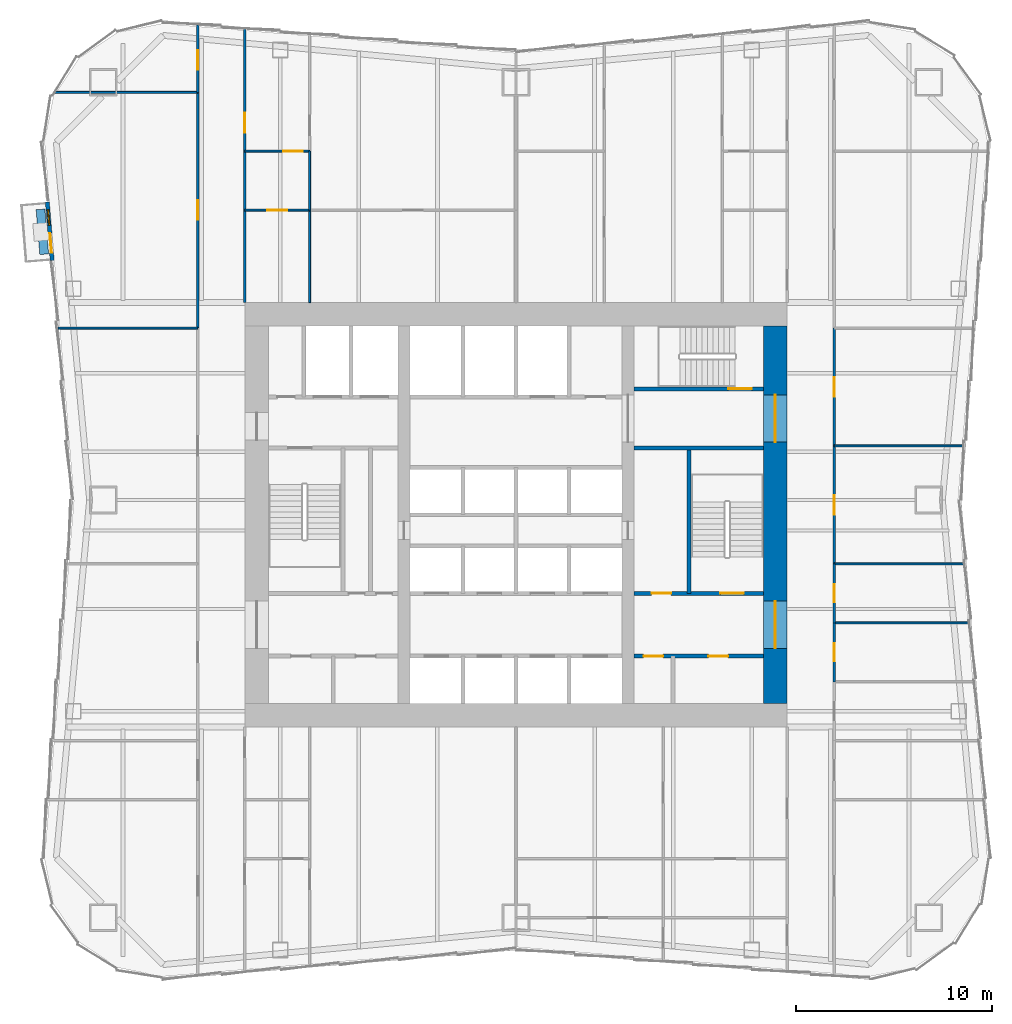
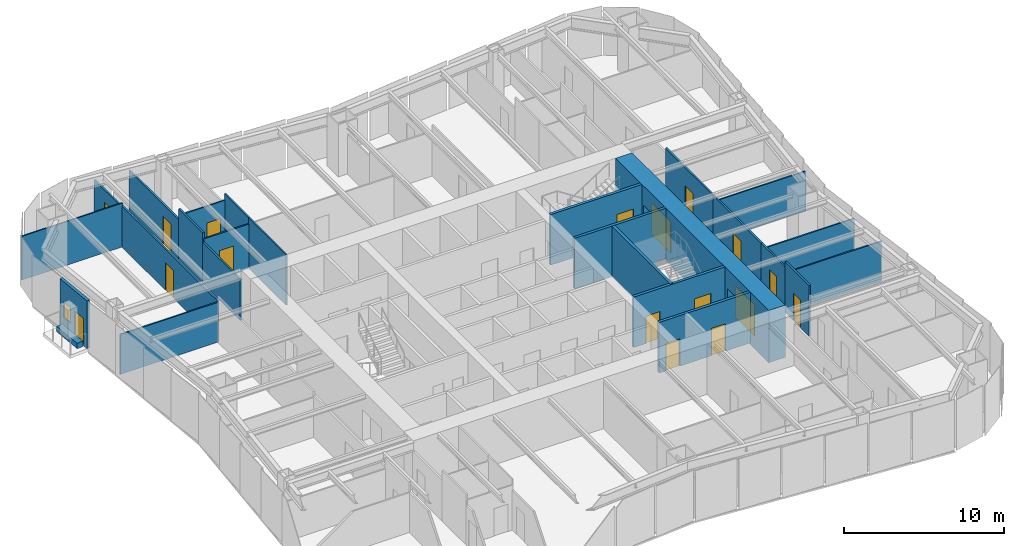
# One storey, part 6 of 9: 26 walls, 17 doors, 1 window, 18 openings.
"""IFC4 building model written with IfcOpenShell, lengths in metres."""

from ifc_helpers import new_model, si_unit, direction, frame, frame_2d, origin, place, context, subcontext, project, spatial, rectangle, extrude, material, layer, layer_set, type_object, element, fill, save


model = new_model("IFC4")

# Units and contexts
model_context = context("Model", 3, precision=1e-05, world=origin(), true_north=direction((0.0, 1.0)))
body_context = subcontext(model_context, "Body", "Model", "MODEL_VIEW")
ifc_project = project(units=[si_unit("LENGTHUNIT", "METRE"), si_unit("AREAUNIT", "SQUARE_METRE"), si_unit("VOLUMEUNIT", "CUBIC_METRE"), si_unit("PLANEANGLEUNIT", "RADIAN"), si_unit("MASSUNIT", "GRAM", prefix="KILO")], contexts=[model_context])

# Site, building, storey
site_placement = place(None, origin())
site = spatial("IfcSite", under=ifc_project, at=site_placement, CompositionType="ELEMENT")
building_placement = place(site_placement, origin())
building = spatial("IfcBuilding", under=site, at=building_placement, Name="Verdant Reach Tower", CompositionType="ELEMENT")
storey_placement = place(building_placement, frame((0.0, 0.0, 90.0)))
storey = spatial("IfcBuildingStorey", under=building, at=storey_placement, Name="L20", CompositionType="ELEMENT", Elevation=90.0)

# Wall, openings, doors
ifc_material_1 = material(Name="Gypsum board on steel studs", Category="steel")
ifc_layer_1 = layer(ifc_material_1, 0.199951171875)
ifc_layer_set_1 = layer_set([ifc_layer_1], Name="CO-WALL-ROOM")
wall_type_1 = type_object("IfcWallType", Name="CO-WALL-ROOM", PredefinedType="PARTITIONING", material=ifc_layer_set_1)
wall_1_placement = place(storey_placement, frame((6.0, 20.800048828125, 0.0), z_axis=(0.0, 0.0, 1.0), x_axis=(1.0, 0.0, 0.0)))
wall_1 = element("IfcWall", 1, at=wall_1_placement, inside=storey, type_object=wall_type_1, Name="Core partition, L20", PredefinedType="PARTITIONING", context=body_context, shape_type="SweptSolid", body=[
    extrude(rectangle(XDim=6.60009765625, YDim=0.199951171875, at=frame_2d((3.300048828125, 0.0))), origin(), (0.0, 0.0, 1.0), 3.8701171875),
])
opening_1_placement = place(wall_1_placement, frame((0.489990234375, 0.0, 0.0)))
opening_1 = element("IfcOpeningElement", 2, at=opening_1_placement, cuts=wall_1, Name="Opening CD", PredefinedType="OPENING", context=body_context, shape_type="SweptSolid", body=[
    extrude(rectangle(XDim=1.0, YDim=2.10009765625, at=frame_2d((0.5, 1.050048828125))), frame((0.0, 0.10986328125, 0.0), z_axis=(0.0, -1.0, 0.0), x_axis=(1.0, 0.0, 0.0)), (0.0, 0.0, 1.0), 0.219970703125),
])
opening_2_placement = place(wall_1_placement, frame((3.7900390625, 0.0, 0.0)))
opening_2 = element("IfcOpeningElement", 3, at=opening_2_placement, cuts=wall_1, Name="Opening CD", PredefinedType="OPENING", context=body_context, shape_type="SweptSolid", body=[
    extrude(rectangle(XDim=1.0, YDim=2.10009765625, at=frame_2d((0.5, 1.050048828125))), frame((0.0, 0.10986328125, 0.0), z_axis=(0.0, -1.0, 0.0), x_axis=(1.0, 0.0, 0.0)), (0.0, 0.0, 1.0), 0.219970703125),
])
ifc_material_2 = material(Name="Timber", Category="wood")
door_type_1 = type_object("IfcDoorType", Name="CO-DOOR-ROOM", OperationType="NOTDEFINED", PredefinedType="DOOR", material=ifc_material_2)
door_1_placement = place(opening_1_placement, origin())
door_1 = element("IfcDoor", 4, at=door_1_placement, inside=storey, type_object=door_type_1, Name="Core room door, L20", OperationType="SINGLE_SWING_RIGHT", OverallHeight=2.10009765625, OverallWidth=1.0, PredefinedType="DOOR", context=body_context, shape_type="SweptSolid", body=[
    extrude(rectangle(XDim=1.0, YDim=2.10009765625, at=frame_2d((0.5, 1.050048828125))), frame((0.0, 0.02490234375, 0.0), z_axis=(0.0, -1.0, 0.0), x_axis=(1.0, 0.0, 0.0)), (0.0, 0.0, 1.0), 0.050048828125),
])
fill(opening_1, door_1)
door_2_placement = place(opening_2_placement, origin())
door_2 = element("IfcDoor", 5, at=door_2_placement, inside=storey, type_object=door_type_1, Name="Core room door, L20", OperationType="SINGLE_SWING_RIGHT", OverallHeight=2.10009765625, OverallWidth=1.0, PredefinedType="DOOR", context=body_context, shape_type="SweptSolid", body=[
    extrude(rectangle(XDim=1.0, YDim=2.10009765625, at=frame_2d((0.5, 1.050048828125))), frame((0.0, 0.02490234375, 0.0), z_axis=(0.0, -1.0, 0.0), x_axis=(1.0, 0.0, 0.0)), (0.0, 0.0, 1.0), 0.050048828125),
])
fill(opening_2, door_2)

ifc_material_3 = material(Name="Concrete C40/50", Category="concrete")
ifc_layer_2 = layer(ifc_material_3, 0.199951171875)
ifc_layer_set_2 = layer_set([ifc_layer_2], Name="CO-WALL-STAIR")
wall_type_2 = type_object("IfcWallType", Name="CO-WALL-STAIR", PredefinedType="PARTITIONING", material=ifc_layer_set_2)
wall_2_placement = place(storey_placement, frame((6.0, 24.0, 0.0), z_axis=(0.0, 0.0, 1.0), x_axis=(1.0, 0.0, 0.0)))
wall_2 = element("IfcWall", 6, at=wall_2_placement, inside=storey, type_object=wall_type_2, Name="Stair enclosure wall, L20", PredefinedType="PARTITIONING", context=body_context, shape_type="SweptSolid", body=[
    extrude(rectangle(XDim=6.60009765625, YDim=0.199951171875, at=frame_2d((3.300048828125, 0.0))), origin(), (0.0, 0.0, 1.0), 3.8701171875),
])
opening_3_placement = place(wall_2_placement, frame((0.89990234375, 0.0, 0.0)))
opening_3 = element("IfcOpeningElement", 7, at=opening_3_placement, cuts=wall_2, Name="Opening CD", PredefinedType="OPENING", context=body_context, shape_type="SweptSolid", body=[
    extrude(rectangle(XDim=1.0, YDim=2.10009765625, at=frame_2d((0.5, 1.050048828125))), frame((0.0, 0.10986328125, 0.0), z_axis=(0.0, -1.0, 0.0), x_axis=(1.0, 0.0, 0.0)), (0.0, 0.0, 1.0), 0.219970703125),
])
opening_4_placement = place(wall_2_placement, frame((4.39990234375, 0.0, 0.0)))
opening_4 = element("IfcOpeningElement", 8, at=opening_4_placement, cuts=wall_2, Name="Opening SD", PredefinedType="OPENING", context=body_context, shape_type="SweptSolid", body=[
    extrude(rectangle(XDim=1.199951171875, YDim=2.199951171875, at=frame_2d((0.60009765625, 1.10009765625))), frame((0.0, 0.10986328125, 0.0), z_axis=(0.0, -1.0, 0.0), x_axis=(1.0, 0.0, 0.0)), (0.0, 0.0, 1.0), 0.219970703125),
])
door_3_placement = place(opening_3_placement, origin())
door_3 = element("IfcDoor", 9, at=door_3_placement, inside=storey, type_object=door_type_1, Name="Core room door, L20", OperationType="SINGLE_SWING_RIGHT", OverallHeight=2.10009765625, OverallWidth=1.0, PredefinedType="DOOR", context=body_context, shape_type="SweptSolid", body=[
    extrude(rectangle(XDim=1.0, YDim=2.10009765625, at=frame_2d((0.5, 1.050048828125))), frame((0.0, 0.02490234375, 0.0), z_axis=(0.0, -1.0, 0.0), x_axis=(1.0, 0.0, 0.0)), (0.0, 0.0, 1.0), 0.050048828125),
])
fill(opening_3, door_3)
ifc_material_4 = material(Name="Steel", Category="steel")
door_type_2 = type_object("IfcDoorType", Name="CO-DOOR-STAIR", OperationType="NOTDEFINED", PredefinedType="DOOR", material=ifc_material_4)
door_4_placement = place(opening_4_placement, origin())
door_4 = element("IfcDoor", 10, at=door_4_placement, inside=storey, type_object=door_type_2, Name="Stair door, L20", OperationType="SINGLE_SWING_LEFT", OverallHeight=2.199951171875, OverallWidth=1.199951171875, PredefinedType="DOOR", context=body_context, shape_type="SweptSolid", body=[
    extrude(rectangle(XDim=1.199951171875, YDim=2.199951171875, at=frame_2d((0.60009765625, 1.10009765625))), frame((0.0, 0.02490234375, 0.0), z_axis=(0.0, -1.0, 0.0), x_axis=(1.0, 0.0, 0.0)), (0.0, 0.0, 1.0), 0.050048828125),
])
fill(opening_4, door_4)

# Wall
wall_3_placement = place(storey_placement, frame((6.0, 31.39990234375, 0.0), z_axis=(0.0, 0.0, 1.0), x_axis=(1.0, 0.0, 0.0)))
element("IfcWall", 11, at=wall_3_placement, inside=storey, type_object=wall_type_2, Name="Stair enclosure wall, L20", PredefinedType="PARTITIONING", context=body_context, shape_type="SweptSolid", body=[
    extrude(rectangle(XDim=6.60009765625, YDim=0.199951171875, at=frame_2d((3.300048828125, 0.0))), origin(), (0.0, 0.0, 1.0), 3.8701171875),
])

# Wall, opening, door
wall_4_placement = place(storey_placement, frame((6.0, 34.39990234375, 0.0), z_axis=(0.0, 0.0, 1.0), x_axis=(1.0, 0.0, 0.0)))
wall_4 = element("IfcWall", 12, at=wall_4_placement, inside=storey, type_object=wall_type_2, Name="Stair enclosure wall, L20", PredefinedType="PARTITIONING", context=body_context, shape_type="SweptSolid", body=[
    extrude(rectangle(XDim=6.60009765625, YDim=0.199951171875, at=frame_2d((3.300048828125, 0.0))), origin(), (0.0, 0.0, 1.0), 3.8701171875),
])
opening_5_placement = place(wall_4_placement, frame((4.800048828125, 0.0, 0.0)))
opening_5 = element("IfcOpeningElement", 13, at=opening_5_placement, cuts=wall_4, Name="Opening SD", PredefinedType="OPENING", context=body_context, shape_type="SweptSolid", body=[
    extrude(rectangle(XDim=1.199951171875, YDim=2.199951171875, at=frame_2d((0.60009765625, 1.10009765625))), frame((0.0, 0.10986328125, 0.0), z_axis=(0.0, -1.0, 0.0), x_axis=(1.0, 0.0, 0.0)), (0.0, 0.0, 1.0), 0.219970703125),
])
door_5_placement = place(opening_5_placement, origin())
door_5 = element("IfcDoor", 14, at=door_5_placement, inside=storey, type_object=door_type_2, Name="Stair door, L20", OperationType="SINGLE_SWING_RIGHT", OverallHeight=2.199951171875, OverallWidth=1.199951171875, PredefinedType="DOOR", context=body_context, shape_type="SweptSolid", body=[
    extrude(rectangle(XDim=1.199951171875, YDim=2.199951171875, at=frame_2d((0.60009765625, 1.10009765625))), frame((0.0, 0.02490234375, 0.0), z_axis=(0.0, -1.0, 0.0), x_axis=(1.0, 0.0, 0.0)), (0.0, 0.0, 1.0), 0.050048828125),
])
fill(opening_5, door_5)

# Wall
wall_5_placement = place(storey_placement, frame((8.800048828125, 24.0, 0.0), z_axis=(0.0, 0.0, 1.0), x_axis=(0.0, 1.0, 0.0)))
element("IfcWall", 15, at=wall_5_placement, inside=storey, type_object=wall_type_2, Name="Stair enclosure wall, L20", PredefinedType="PARTITIONING", context=body_context, shape_type="SweptSolid", body=[
    extrude(rectangle(XDim=7.39990234375, YDim=0.199951171875, at=frame_2d((3.699951171875, 0.0))), origin(), (0.0, 0.0, 1.0), 3.8701171875),
])

# Wall, openings, door, window
ifc_material_5 = material(Name="Insulated bronze aluminium panel wall", Category="aluminium")
ifc_layer_3 = layer(ifc_material_5, 0.219970703125)
ifc_layer_set_3 = layer_set([ifc_layer_3], Name="EN-INFILL WALL")
wall_type_3 = type_object("IfcWallType", Name="EN-INFILL WALL", PredefinedType="SOLIDWALL", material=ifc_layer_set_3)
wall_6_placement = place(storey_placement, frame((-23.85009765625, 43.9189453125, 0.0), z_axis=(0.0, 0.0, 1.0), x_axis=(0.081903334605, -0.996640278024, 0.0)))
wall_6 = element("IfcWall", 16, at=wall_6_placement, inside=storey, type_object=wall_type_3, Name="External infill wall, balcony bay 1, L20", PredefinedType="SOLIDWALL", context=body_context, shape_type="SweptSolid", body=[
    extrude(rectangle(XDim=2.98974609375, YDim=0.2060546875, at=frame_2d((1.494873046875, 0.0))), origin(), (0.0, 0.0, 1.0), 3.64990234375),
])
opening_6_placement = place(wall_6_placement, frame((1.59326171875, 0.0, 0.0)))
opening_6 = element("IfcOpeningElement", 17, at=opening_6_placement, cuts=wall_6, Name="Opening BD1", PredefinedType="OPENING", context=body_context, shape_type="SweptSolid", body=[
    extrude(rectangle(XDim=1.0, YDim=2.10009765625, at=frame_2d((0.5, 1.050048828125))), frame((0.0, 0.113037109375, 0.0), z_axis=(0.0, -1.0, 0.0), x_axis=(1.0, 0.0, 0.0)), (0.0, 0.0, 1.0), 0.22607421875),
])
opening_7_placement = place(wall_6_placement, frame((0.396484375, 0.0, 0.89990234375)))
opening_7 = element("IfcOpeningElement", 18, at=opening_7_placement, cuts=wall_6, Name="Opening BW1", PredefinedType="OPENING", context=body_context, shape_type="SweptSolid", body=[
    extrude(rectangle(XDim=0.800048828125, YDim=1.199951171875, at=frame_2d((0.39990234375, 0.60009765625))), frame((0.0, 0.113037109375, 0.0), z_axis=(0.0, -1.0, 0.0), x_axis=(1.0, 0.0, 0.0)), (0.0, 0.0, 1.0), 0.22607421875),
])
ifc_material_6 = material(Name="Aluminium framed glazed door", Category="aluminium")
door_type_3 = type_object("IfcDoorType", Name="EN-DOOR BALCONY", OperationType="NOTDEFINED", PredefinedType="DOOR", material=ifc_material_6)
door_6_placement = place(opening_6_placement, origin())
door_6 = element("IfcDoor", 19, at=door_6_placement, inside=storey, type_object=door_type_3, Name="Balcony door 1, L20", OperationType="SINGLE_SWING_RIGHT", OverallHeight=2.10009765625, OverallWidth=1.0, PredefinedType="DOOR", context=body_context, shape_type="SweptSolid", body=[
    extrude(rectangle(XDim=1.0, YDim=2.10009765625, at=frame_2d((0.5, 1.050048828125))), frame((0.0, 0.02490234375, 0.0), z_axis=(0.0, -1.0, 0.0), x_axis=(1.0, 0.0, 0.0)), (0.0, 0.0, 1.0), 0.050048828125),
])
fill(opening_6, door_6)
ifc_material_7 = material(Name="Aluminium framed glazing", Category="aluminium")
window_type = type_object("IfcWindowType", Name="EN-WINDOW BALCONY", PartitioningType="SINGLE_PANEL", PredefinedType="WINDOW", material=ifc_material_7)
window_placement = place(opening_7_placement, origin())
window = element("IfcWindow", 20, at=window_placement, inside=storey, type_object=window_type, Name="Balcony window 1, L20", OverallHeight=1.199951171875, OverallWidth=0.800048828125, PartitioningType="SINGLE_PANEL", PredefinedType="WINDOW", context=body_context, shape_type="SweptSolid", body=[
    extrude(rectangle(XDim=0.800048828125, YDim=1.199951171875, at=frame_2d((0.39990234375, 0.60009765625))), frame((0.0, 0.030029296875, 0.0), z_axis=(0.0, -1.0, 0.0), x_axis=(1.0, 0.0, 0.0)), (0.0, 0.0, 1.0), 0.06005859375),
])
fill(opening_7, window)

# Walls
ifc_material_8 = material(Name="Precast concrete C30/37", Category="concrete")
ifc_layer_4 = layer(ifc_material_8, 0.449951171875)
ifc_layer_set_4 = layer_set([ifc_layer_4], Name="EN-PLANTER")
wall_type_4 = type_object("IfcWallType", Name="EN-PLANTER", PredefinedType="USERDEFINED", material=ifc_layer_set_4)
wall_7_placement = place(storey_placement, frame((-24.1982421875, 43.539306640625, 0.0), z_axis=(0.0, 0.0, 1.0), x_axis=(0.081986639556, -0.996633428566, 0.0)))
element("IfcWall", 21, at=wall_7_placement, inside=storey, type_object=wall_type_4, Name="Balcony planter 1, L20", ObjectType="PLANTER", PredefinedType="USERDEFINED", context=body_context, shape_type="SweptSolid", body=[
    extrude(rectangle(XDim=2.2900390625, YDim=0.449951171875, at=frame_2d((1.14501953125, 0.0))), origin(), (0.0, 0.0, 1.0), 0.39990234375),
])
ifc_layer_5 = layer(ifc_material_1, 0.10009765625)
ifc_layer_set_5 = layer_set([ifc_layer_5], Name="FL-W1 Partition 100")
wall_type_5 = type_object("IfcWallType", Name="FL-W1 Partition 100", PredefinedType="PARTITIONING", material=ifc_layer_set_5)
wall_8_placement = place(storey_placement, frame((-16.199951171875, 37.5, 0.0), z_axis=(0.0, 0.0, 1.0), x_axis=(-1.0, 0.0, 0.0)))
element("IfcWall", 22, at=wall_8_placement, inside=storey, type_object=wall_type_5, Name="Partition 20.31", PredefinedType="PARTITIONING", context=body_context, shape_type="SweptSolid", body=[
    extrude(rectangle(XDim=7.099365234375, YDim=0.10009765625, at=frame_2d((3.5498046875, 0.0))), origin(), (0.0, 0.0, 1.0), 3.0400390625),
])
wall_9_placement = place(storey_placement, frame((-16.199951171875, 49.5, 0.0), z_axis=(0.0, 0.0, 1.0), x_axis=(-1.0, 0.0, 0.0)))
element("IfcWall", 23, at=wall_9_placement, inside=storey, type_object=wall_type_5, Name="Partition 20.32", PredefinedType="PARTITIONING", context=body_context, shape_type="SweptSolid", body=[
    extrude(rectangle(XDim=7.287109375, YDim=0.10009765625, at=frame_2d((3.6435546875, 0.0))), origin(), (0.0, 0.0, 1.0), 3.340087890625),
])
wall_10_placement = place(storey_placement, frame((23.09375, 22.5, 0.0), z_axis=(0.0, 0.0, 1.0), x_axis=(-1.0, 0.0, 0.0)))
element("IfcWall", 24, at=wall_10_placement, inside=storey, type_object=wall_type_5, Name="Partition 20.36", PredefinedType="PARTITIONING", context=body_context, shape_type="SweptSolid", body=[
    extrude(rectangle(XDim=6.893798828125, YDim=0.10009765625, at=frame_2d((3.44677734375, 0.0))), origin(), (0.0, 0.0, 1.0), 3.0400390625),
])
wall_11_placement = place(storey_placement, frame((22.84716796875, 25.5, 0.0), z_axis=(0.0, 0.0, 1.0), x_axis=(-1.0, 0.0, 0.0)))
element("IfcWall", 25, at=wall_11_placement, inside=storey, type_object=wall_type_5, Name="Partition 20.37", PredefinedType="PARTITIONING", context=body_context, shape_type="SweptSolid", body=[
    extrude(rectangle(XDim=6.647216796875, YDim=0.10009765625, at=frame_2d((3.32373046875, 0.0))), origin(), (0.0, 0.0, 1.0), 3.0400390625),
])
wall_12_placement = place(storey_placement, frame((22.805908203125, 31.5, 0.0), z_axis=(0.0, 0.0, 1.0), x_axis=(-1.0, 0.0, 0.0)))
element("IfcWall", 26, at=wall_12_placement, inside=storey, type_object=wall_type_5, Name="Partition 20.38", PredefinedType="PARTITIONING", context=body_context, shape_type="SweptSolid", body=[
    extrude(rectangle(XDim=6.60595703125, YDim=0.10009765625, at=frame_2d((3.302978515625, 0.0))), origin(), (0.0, 0.0, 1.0), 3.0400390625),
])

# Wall, opening, door
wall_13_placement = place(storey_placement, frame((-10.5, 43.5, 0.0), z_axis=(0.0, 0.0, 1.0), x_axis=(-1.0, 0.0, 0.0)))
wall_13 = element("IfcWall", 27, at=wall_13_placement, inside=storey, type_object=wall_type_5, Name="Partition 20.56", PredefinedType="PARTITIONING", context=body_context, shape_type="SweptSolid", body=[
    extrude(rectangle(XDim=3.300048828125, YDim=0.10009765625, at=frame_2d((1.64990234375, 0.0))), origin(), (0.0, 0.0, 1.0), 3.389892578125),
])
opening_8_placement = place(wall_13_placement, frame((1.14990234375, 0.0, 0.0)))
opening_8 = element("IfcOpeningElement", 28, at=opening_8_placement, cuts=wall_13, Name="Opening D3", PredefinedType="OPENING", context=body_context, shape_type="SweptSolid", body=[
    extrude(rectangle(XDim=1.0, YDim=2.10009765625, at=frame_2d((0.5, 1.050048828125))), frame((0.0, 0.06005859375, 0.0), z_axis=(0.0, -1.0, 0.0), x_axis=(1.0, 0.0, 0.0)), (0.0, 0.0, 1.0), 0.1201171875),
])
ifc_material_9 = material(Name="Painted timber door leaf", Category="wood")
door_type_4 = type_object("IfcDoorType", Name="FL-D3 Door 1000x2100", OperationType="NOTDEFINED", PredefinedType="DOOR", material=ifc_material_9)
door_7_placement = place(opening_8_placement, origin())
door_7 = element("IfcDoor", 29, at=door_7_placement, inside=storey, type_object=door_type_4, Name="Door 20-029", OperationType="SINGLE_SWING_LEFT", OverallHeight=2.10009765625, OverallWidth=1.0, PredefinedType="DOOR", context=body_context, shape_type="SweptSolid", body=[
    extrude(rectangle(XDim=1.0, YDim=2.10009765625, at=frame_2d((0.5, 1.050048828125))), frame((0.0, 0.02490234375, 0.0), z_axis=(0.0, -1.0, 0.0), x_axis=(1.0, 0.0, 0.0)), (0.0, 0.0, 1.0), 0.050048828125),
])
fill(opening_8, door_7)

# Wall
wall_14_placement = place(storey_placement, frame((-10.5, 38.800048828125, 0.0), z_axis=(0.0, 0.0, 1.0), x_axis=(0.0, 1.0, 0.0)))
element("IfcWall", 30, at=wall_14_placement, inside=storey, type_object=wall_type_5, Name="Partition 20.57", PredefinedType="PARTITIONING", context=body_context, shape_type="SweptSolid", body=[
    extrude(rectangle(XDim=4.699951171875, YDim=0.10009765625, at=frame_2d((2.35009765625, 0.0))), origin(), (0.0, 0.0, 1.0), 3.8701171875),
])

# Wall, opening, door
wall_15_placement = place(storey_placement, frame((-10.5, 46.5, 0.0), z_axis=(0.0, 0.0, 1.0), x_axis=(-1.0, 0.0, 0.0)))
wall_15 = element("IfcWall", 31, at=wall_15_placement, inside=storey, type_object=wall_type_5, Name="Partition 20.58", PredefinedType="PARTITIONING", context=body_context, shape_type="SweptSolid", body=[
    extrude(rectangle(XDim=3.300048828125, YDim=0.10009765625, at=frame_2d((1.64990234375, 0.0))), origin(), (0.0, 0.0, 1.0), 3.389892578125),
])
opening_9_placement = place(wall_15_placement, frame((0.35009765625, 0.0, 0.0)))
opening_9 = element("IfcOpeningElement", 32, at=opening_9_placement, cuts=wall_15, Name="Opening D3", PredefinedType="OPENING", context=body_context, shape_type="SweptSolid", body=[
    extrude(rectangle(XDim=1.0, YDim=2.10009765625, at=frame_2d((0.5, 1.050048828125))), frame((0.0, 0.06005859375, 0.0), z_axis=(0.0, -1.0, 0.0), x_axis=(1.0, 0.0, 0.0)), (0.0, 0.0, 1.0), 0.1201171875),
])
door_8_placement = place(opening_9_placement, origin())
door_8 = element("IfcDoor", 33, at=door_8_placement, inside=storey, type_object=door_type_4, Name="Door 20-030", OperationType="SINGLE_SWING_LEFT", OverallHeight=2.10009765625, OverallWidth=1.0, PredefinedType="DOOR", context=body_context, shape_type="SweptSolid", body=[
    extrude(rectangle(XDim=1.0, YDim=2.10009765625, at=frame_2d((0.5, 1.050048828125))), frame((0.0, 0.02490234375, 0.0), z_axis=(0.0, -1.0, 0.0), x_axis=(1.0, 0.0, 0.0)), (0.0, 0.0, 1.0), 0.050048828125),
])
fill(opening_9, door_8)

# Wall
wall_16_placement = place(storey_placement, frame((-10.5, 43.5, 0.0), z_axis=(0.0, 0.0, 1.0), x_axis=(0.0, 1.0, 0.0)))
element("IfcWall", 34, at=wall_16_placement, inside=storey, type_object=wall_type_5, Name="Partition 20.59", PredefinedType="PARTITIONING", context=body_context, shape_type="SweptSolid", body=[
    extrude(rectangle(XDim=3.00390625, YDim=0.10009765625, at=frame_2d((1.501953125, 0.0))), origin(), (0.0, 0.0, 1.0), 3.8701171875),
])

# Wall, opening, door
ifc_material_10 = material(Name="Gypsum board on steel studs, fire rated", Category="steel")
ifc_layer_6 = layer(ifc_material_10, 0.125)
ifc_layer_set_6 = layer_set([ifc_layer_6], Name="FL-W2 Corridor wall 125")
wall_type_6 = type_object("IfcWallType", Name="FL-W2 Corridor wall 125", PredefinedType="PARTITIONING", material=ifc_layer_set_6)
wall_17_placement = place(storey_placement, frame((-16.199951171875, 37.5, 0.0), z_axis=(0.0, 0.0, 1.0), x_axis=(0.0, 1.0, 0.0)))
wall_17 = element("IfcWall", 35, at=wall_17_placement, inside=storey, type_object=wall_type_6, Name="Partition 20.05", PredefinedType="PARTITIONING", context=body_context, shape_type="SweptSolid", body=[
    extrude(rectangle(XDim=12.0, YDim=0.125, at=frame_2d((6.0, 0.0))), origin(), (0.0, 0.0, 1.0), 3.139892578125),
])
opening_10_placement = place(wall_17_placement, frame((5.5, 0.0, 0.0)))
opening_10 = element("IfcOpeningElement", 36, at=opening_10_placement, cuts=wall_17, Name="Opening D2", PredefinedType="OPENING", context=body_context, shape_type="SweptSolid", body=[
    extrude(rectangle(XDim=1.0, YDim=2.10009765625, at=frame_2d((0.5, 1.050048828125))), frame((0.0, 0.072509765625, 0.0), z_axis=(0.0, -1.0, 0.0), x_axis=(1.0, 0.0, 0.0)), (0.0, 0.0, 1.0), 0.14501953125),
])
ifc_material_11 = material(Name="Timber door leaf, fire rated", Category="wood")
door_type_5 = type_object("IfcDoorType", Name="FL-D2 Entrance door 1000x2100 FD30", OperationType="NOTDEFINED", PredefinedType="DOOR", material=ifc_material_11)
door_9_placement = place(opening_10_placement, origin())
door_9 = element("IfcDoor", 37, at=door_9_placement, inside=storey, type_object=door_type_5, Name="Door 20-005", OperationType="SINGLE_SWING_LEFT", OverallHeight=2.10009765625, OverallWidth=1.0, PredefinedType="DOOR", context=body_context, shape_type="SweptSolid", body=[
    extrude(rectangle(XDim=1.0, YDim=2.10009765625, at=frame_2d((0.5, 1.050048828125))), frame((0.0, 0.02490234375, 0.0), z_axis=(0.0, -1.0, 0.0), x_axis=(1.0, 0.0, 0.0)), (0.0, 0.0, 1.0), 0.050048828125),
])
fill(opening_10, door_9)

wall_18_placement = place(storey_placement, frame((-16.199951171875, 49.5, 0.0), z_axis=(0.0, 0.0, 1.0), x_axis=(0.0, 1.0, 0.0)))
wall_18 = element("IfcWall", 38, at=wall_18_placement, inside=storey, type_object=wall_type_6, Name="Partition 20.06", PredefinedType="PARTITIONING", context=body_context, shape_type="SweptSolid", body=[
    extrude(rectangle(XDim=3.429931640625, YDim=0.125, at=frame_2d((1.71484375, 0.0))), origin(), (0.0, 0.0, 1.0), 3.0400390625),
])
opening_11_placement = place(wall_18_placement, frame((1.14990234375, 0.0, 0.0)))
opening_11 = element("IfcOpeningElement", 39, at=opening_11_placement, cuts=wall_18, Name="Opening D2", PredefinedType="OPENING", context=body_context, shape_type="SweptSolid", body=[
    extrude(rectangle(XDim=1.0, YDim=2.10009765625, at=frame_2d((0.5, 1.050048828125))), frame((0.0, 0.072509765625, 0.0), z_axis=(0.0, -1.0, 0.0), x_axis=(1.0, 0.0, 0.0)), (0.0, 0.0, 1.0), 0.14501953125),
])
door_10_placement = place(opening_11_placement, origin())
door_10 = element("IfcDoor", 40, at=door_10_placement, inside=storey, type_object=door_type_5, Name="Door 20-006", OperationType="SINGLE_SWING_LEFT", OverallHeight=2.10009765625, OverallWidth=1.0, PredefinedType="DOOR", context=body_context, shape_type="SweptSolid", body=[
    extrude(rectangle(XDim=1.0, YDim=2.10009765625, at=frame_2d((0.5, 1.050048828125))), frame((0.0, 0.02490234375, 0.0), z_axis=(0.0, -1.0, 0.0), x_axis=(1.0, 0.0, 0.0)), (0.0, 0.0, 1.0), 0.050048828125),
])
fill(opening_11, door_10)

# Walls
wall_19_placement = place(storey_placement, frame((-13.800048828125, 38.800048828125, 0.0), z_axis=(0.0, 0.0, 1.0), x_axis=(0.0, 1.0, 0.0)))
element("IfcWall", 41, at=wall_19_placement, inside=storey, type_object=wall_type_6, Name="Partition 20.10", PredefinedType="PARTITIONING", context=body_context, shape_type="SweptSolid", body=[
    extrude(rectangle(XDim=4.699951171875, YDim=0.125, at=frame_2d((2.35009765625, 0.0))), origin(), (0.0, 0.0, 1.0), 3.139892578125),
])
wall_20_placement = place(storey_placement, frame((-13.800048828125, 43.5, 0.0), z_axis=(0.0, 0.0, 1.0), x_axis=(0.0, 1.0, 0.0)))
element("IfcWall", 42, at=wall_20_placement, inside=storey, type_object=wall_type_6, Name="Partition 20.11", PredefinedType="PARTITIONING", context=body_context, shape_type="SweptSolid", body=[
    extrude(rectangle(XDim=3.0, YDim=0.125, at=frame_2d((1.5, 0.0))), origin(), (0.0, 0.0, 1.0), 3.8701171875),
])

# Wall, opening, door
wall_21_placement = place(storey_placement, frame((-13.800048828125, 52.72998046875, 0.0), z_axis=(0.0, 0.0, 1.0), x_axis=(0.0, -1.0, 0.0)))
wall_21 = element("IfcWall", 43, at=wall_21_placement, inside=storey, type_object=wall_type_6, Name="Partition 20.12", PredefinedType="PARTITIONING", context=body_context, shape_type="SweptSolid", body=[
    extrude(rectangle(XDim=6.22998046875, YDim=0.125, at=frame_2d((3.114990234375, 0.0))), origin(), (0.0, 0.0, 1.0), 3.0400390625),
])
opening_12_placement = place(wall_21_placement, frame((4.280029296875, 0.0, 0.0)))
opening_12 = element("IfcOpeningElement", 44, at=opening_12_placement, cuts=wall_21, Name="Opening D2", PredefinedType="OPENING", context=body_context, shape_type="SweptSolid", body=[
    extrude(rectangle(XDim=1.0, YDim=2.10009765625, at=frame_2d((0.5, 1.050048828125))), frame((0.0, 0.072509765625, 0.0), z_axis=(0.0, -1.0, 0.0), x_axis=(1.0, 0.0, 0.0)), (0.0, 0.0, 1.0), 0.14501953125),
])
door_11_placement = place(opening_12_placement, origin())
door_11 = element("IfcDoor", 45, at=door_11_placement, inside=storey, type_object=door_type_5, Name="Door 20-009", OperationType="SINGLE_SWING_RIGHT", OverallHeight=2.10009765625, OverallWidth=1.0, PredefinedType="DOOR", context=body_context, shape_type="SweptSolid", body=[
    extrude(rectangle(XDim=1.0, YDim=2.10009765625, at=frame_2d((0.5, 1.050048828125))), frame((0.0, 0.02490234375, 0.0), z_axis=(0.0, -1.0, 0.0), x_axis=(1.0, 0.0, 0.0)), (0.0, 0.0, 1.0), 0.050048828125),
])
fill(opening_12, door_11)

wall_22_placement = place(storey_placement, frame((16.199951171875, 22.5, 0.0), z_axis=(0.0, 0.0, 1.0), x_axis=(0.0, -1.0, 0.0)))
wall_22 = element("IfcWall", 46, at=wall_22_placement, inside=storey, type_object=wall_type_6, Name="Partition 20.16", PredefinedType="PARTITIONING", context=body_context, shape_type="SweptSolid", body=[
    extrude(rectangle(XDim=3.0, YDim=0.125, at=frame_2d((1.5, 0.0))), origin(), (0.0, 0.0, 1.0), 3.8701171875),
])
opening_13_placement = place(wall_22_placement, frame((1.050048828125, 0.0, 0.0)))
opening_13 = element("IfcOpeningElement", 47, at=opening_13_placement, cuts=wall_22, Name="Opening D1", PredefinedType="OPENING", context=body_context, shape_type="SweptSolid", body=[
    extrude(rectangle(XDim=0.89990234375, YDim=2.10009765625, at=frame_2d((0.449951171875, 1.050048828125))), frame((0.0, 0.072509765625, 0.0), z_axis=(0.0, -1.0, 0.0), x_axis=(1.0, 0.0, 0.0)), (0.0, 0.0, 1.0), 0.14501953125),
])
door_type_6 = type_object("IfcDoorType", Name="FL-D1 Door 900x2100", OperationType="NOTDEFINED", PredefinedType="DOOR", material=ifc_material_9)
door_12_placement = place(opening_13_placement, origin())
door_12 = element("IfcDoor", 48, at=door_12_placement, inside=storey, type_object=door_type_6, Name="Door 20-013", OperationType="SINGLE_SWING_LEFT", OverallHeight=2.10009765625, OverallWidth=0.89990234375, PredefinedType="DOOR", context=body_context, shape_type="SweptSolid", body=[
    extrude(rectangle(XDim=0.89990234375, YDim=2.10009765625, at=frame_2d((0.449951171875, 1.050048828125))), frame((0.0, 0.02490234375, 0.0), z_axis=(0.0, -1.0, 0.0), x_axis=(1.0, 0.0, 0.0)), (0.0, 0.0, 1.0), 0.050048828125),
])
fill(opening_13, door_12)

wall_23_placement = place(storey_placement, frame((16.199951171875, 25.5, 0.0), z_axis=(0.0, 0.0, 1.0), x_axis=(0.0, -1.0, 0.0)))
wall_23 = element("IfcWall", 49, at=wall_23_placement, inside=storey, type_object=wall_type_6, Name="Partition 20.17", PredefinedType="PARTITIONING", context=body_context, shape_type="SweptSolid", body=[
    extrude(rectangle(XDim=3.0, YDim=0.125, at=frame_2d((1.5, 0.0))), origin(), (0.0, 0.0, 1.0), 3.47998046875),
])
opening_14_placement = place(wall_23_placement, frame((1.050048828125, 0.0, 0.0)))
opening_14 = element("IfcOpeningElement", 50, at=opening_14_placement, cuts=wall_23, Name="Opening D1", PredefinedType="OPENING", context=body_context, shape_type="SweptSolid", body=[
    extrude(rectangle(XDim=0.89990234375, YDim=2.10009765625, at=frame_2d((0.449951171875, 1.050048828125))), frame((0.0, 0.072509765625, 0.0), z_axis=(0.0, -1.0, 0.0), x_axis=(1.0, 0.0, 0.0)), (0.0, 0.0, 1.0), 0.14501953125),
])
door_13_placement = place(opening_14_placement, origin())
door_13 = element("IfcDoor", 51, at=door_13_placement, inside=storey, type_object=door_type_6, Name="Door 20-014", OperationType="SINGLE_SWING_RIGHT", OverallHeight=2.10009765625, OverallWidth=0.89990234375, PredefinedType="DOOR", context=body_context, shape_type="SweptSolid", body=[
    extrude(rectangle(XDim=0.89990234375, YDim=2.10009765625, at=frame_2d((0.449951171875, 1.050048828125))), frame((0.0, 0.02490234375, 0.0), z_axis=(0.0, -1.0, 0.0), x_axis=(1.0, 0.0, 0.0)), (0.0, 0.0, 1.0), 0.050048828125),
])
fill(opening_14, door_13)

wall_24_placement = place(storey_placement, frame((16.199951171875, 31.5, 0.0), z_axis=(0.0, 0.0, 1.0), x_axis=(0.0, -1.0, 0.0)))
wall_24 = element("IfcWall", 52, at=wall_24_placement, inside=storey, type_object=wall_type_6, Name="Partition 20.18", PredefinedType="PARTITIONING", context=body_context, shape_type="SweptSolid", body=[
    extrude(rectangle(XDim=6.0, YDim=0.125, at=frame_2d((3.0, 0.0))), origin(), (0.0, 0.0, 1.0), 3.47998046875),
])
opening_15_placement = place(wall_24_placement, frame((2.5, 0.0, 0.0)))
opening_15 = element("IfcOpeningElement", 53, at=opening_15_placement, cuts=wall_24, Name="Opening D2", PredefinedType="OPENING", context=body_context, shape_type="SweptSolid", body=[
    extrude(rectangle(XDim=1.0, YDim=2.10009765625, at=frame_2d((0.5, 1.050048828125))), frame((0.0, 0.072509765625, 0.0), z_axis=(0.0, -1.0, 0.0), x_axis=(1.0, 0.0, 0.0)), (0.0, 0.0, 1.0), 0.14501953125),
])
door_14_placement = place(opening_15_placement, origin())
door_14 = element("IfcDoor", 54, at=door_14_placement, inside=storey, type_object=door_type_5, Name="Door 20-015", OperationType="SINGLE_SWING_LEFT", OverallHeight=2.10009765625, OverallWidth=1.0, PredefinedType="DOOR", context=body_context, shape_type="SweptSolid", body=[
    extrude(rectangle(XDim=1.0, YDim=2.10009765625, at=frame_2d((0.5, 1.050048828125))), frame((0.0, 0.02490234375, 0.0), z_axis=(0.0, -1.0, 0.0), x_axis=(1.0, 0.0, 0.0)), (0.0, 0.0, 1.0), 0.050048828125),
])
fill(opening_15, door_14)

wall_25_placement = place(storey_placement, frame((16.199951171875, 37.5, 0.0), z_axis=(0.0, 0.0, 1.0), x_axis=(0.0, -1.0, 0.0)))
wall_25 = element("IfcWall", 55, at=wall_25_placement, inside=storey, type_object=wall_type_6, Name="Partition 20.19", PredefinedType="PARTITIONING", context=body_context, shape_type="SweptSolid", body=[
    extrude(rectangle(XDim=6.0, YDim=0.125, at=frame_2d((3.0, 0.0))), origin(), (0.0, 0.0, 1.0), 3.47998046875),
])
opening_16_placement = place(wall_25_placement, frame((2.5, 0.0, 0.0)))
opening_16 = element("IfcOpeningElement", 56, at=opening_16_placement, cuts=wall_25, Name="Opening D2", PredefinedType="OPENING", context=body_context, shape_type="SweptSolid", body=[
    extrude(rectangle(XDim=1.0, YDim=2.10009765625, at=frame_2d((0.5, 1.050048828125))), frame((0.0, 0.072509765625, 0.0), z_axis=(0.0, -1.0, 0.0), x_axis=(1.0, 0.0, 0.0)), (0.0, 0.0, 1.0), 0.14501953125),
])
door_15_placement = place(opening_16_placement, origin())
door_15 = element("IfcDoor", 57, at=door_15_placement, inside=storey, type_object=door_type_5, Name="Door 20-016", OperationType="SINGLE_SWING_RIGHT", OverallHeight=2.10009765625, OverallWidth=1.0, PredefinedType="DOOR", context=body_context, shape_type="SweptSolid", body=[
    extrude(rectangle(XDim=1.0, YDim=2.10009765625, at=frame_2d((0.5, 1.050048828125))), frame((0.0, 0.02490234375, 0.0), z_axis=(0.0, -1.0, 0.0), x_axis=(1.0, 0.0, 0.0)), (0.0, 0.0, 1.0), 0.050048828125),
])
fill(opening_16, door_15)

# Wall, openings, doors
ifc_material_12 = material(Name="Concrete C70/85", Category="concrete")
ifc_layer_7 = layer(ifc_material_12, 1.199951171875)
ifc_layer_set_7 = layer_set([ifc_layer_7], Name="ST-CORE-WALL-1200")
wall_type_7 = type_object("IfcWallType", Name="ST-CORE-WALL-1200", PredefinedType="SHEAR", material=ifc_layer_set_7)
wall_26_placement = place(storey_placement, frame((13.199951171875, 18.39990234375, -0.1298828125), z_axis=(0.0, 0.0, 1.0), x_axis=(0.0, 1.0, 0.0)))
wall_26 = element("IfcWall", 58, at=wall_26_placement, inside=storey, type_object=wall_type_7, Name="Core wall E, L20", PredefinedType="SHEAR", context=body_context, shape_type="SweptSolid", body=[
    extrude(rectangle(XDim=19.2001953125, YDim=1.199951171875, at=frame_2d((9.60009765625, 0.0))), origin(), (0.0, 0.0, 1.0), 4.0),
])
opening_17_placement = place(wall_26_placement, frame((2.800048828125, 0.0, 0.1298828125)))
opening_17 = element("IfcOpeningElement", 59, at=opening_17_placement, cuts=wall_26, Name="Opening LB", PredefinedType="OPENING", context=body_context, shape_type="SweptSolid", body=[
    extrude(rectangle(XDim=2.39990234375, YDim=2.39990234375, at=frame_2d((1.199951171875, 1.199951171875))), frame((0.0, 0.60986328125, 0.0), z_axis=(0.0, -1.0, 0.0), x_axis=(1.0, 0.0, 0.0)), (0.0, 0.0, 1.0), 1.219970703125),
])
opening_18_placement = place(wall_26_placement, frame((13.300048828125, 0.0, 0.1298828125)))
opening_18 = element("IfcOpeningElement", 60, at=opening_18_placement, cuts=wall_26, Name="Opening LB", PredefinedType="OPENING", context=body_context, shape_type="SweptSolid", body=[
    extrude(rectangle(XDim=2.39990234375, YDim=2.39990234375, at=frame_2d((1.199951171875, 1.199951171875))), frame((0.0, 0.60986328125, 0.0), z_axis=(0.0, -1.0, 0.0), x_axis=(1.0, 0.0, 0.0)), (0.0, 0.0, 1.0), 1.219970703125),
])
ifc_material_13 = material(Name="Glass and steel", Category="steel")
door_type_7 = type_object("IfcDoorType", Name="CO-DOOR-LOBBY", OperationType="DOUBLE_DOOR_SINGLE_SWING", PredefinedType="DOOR", material=ifc_material_13)
door_16_placement = place(opening_17_placement, origin())
door_16 = element("IfcDoor", 61, at=door_16_placement, inside=storey, type_object=door_type_7, Name="Core entrance door, L20", OperationType="DOUBLE_DOOR_SINGLE_SWING", OverallHeight=2.39990234375, OverallWidth=2.39990234375, PredefinedType="DOOR", context=body_context, shape_type="SweptSolid", body=[
    extrude(rectangle(XDim=2.39990234375, YDim=2.39990234375, at=frame_2d((1.199951171875, 1.199951171875))), frame((0.0, 0.02490234375, 0.0), z_axis=(0.0, -1.0, 0.0), x_axis=(1.0, 0.0, 0.0)), (0.0, 0.0, 1.0), 0.050048828125),
])
fill(opening_17, door_16)
door_17_placement = place(opening_18_placement, origin())
door_17 = element("IfcDoor", 62, at=door_17_placement, inside=storey, type_object=door_type_7, Name="Core entrance door, L20", OperationType="DOUBLE_DOOR_SINGLE_SWING", OverallHeight=2.39990234375, OverallWidth=2.39990234375, PredefinedType="DOOR", context=body_context, shape_type="SweptSolid", body=[
    extrude(rectangle(XDim=2.39990234375, YDim=2.39990234375, at=frame_2d((1.199951171875, 1.199951171875))), frame((0.0, 0.02490234375, 0.0), z_axis=(0.0, -1.0, 0.0), x_axis=(1.0, 0.0, 0.0)), (0.0, 0.0, 1.0), 0.050048828125),
])
fill(opening_18, door_17)

save(model, "model.ifc")
